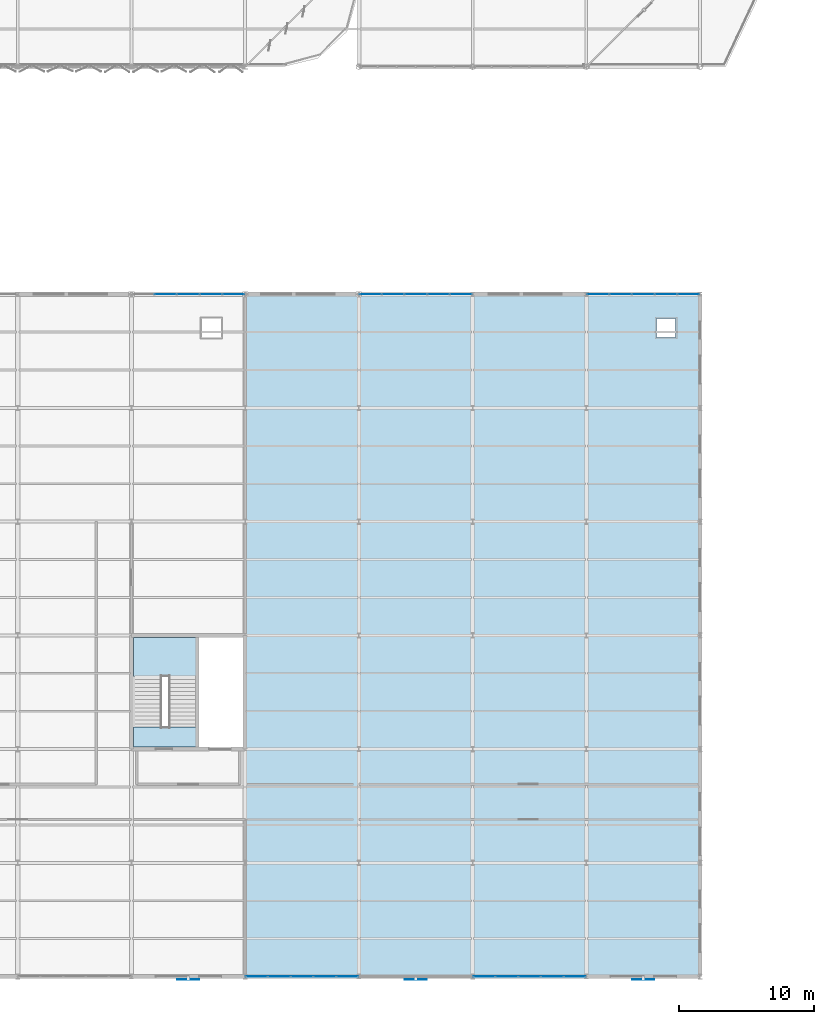
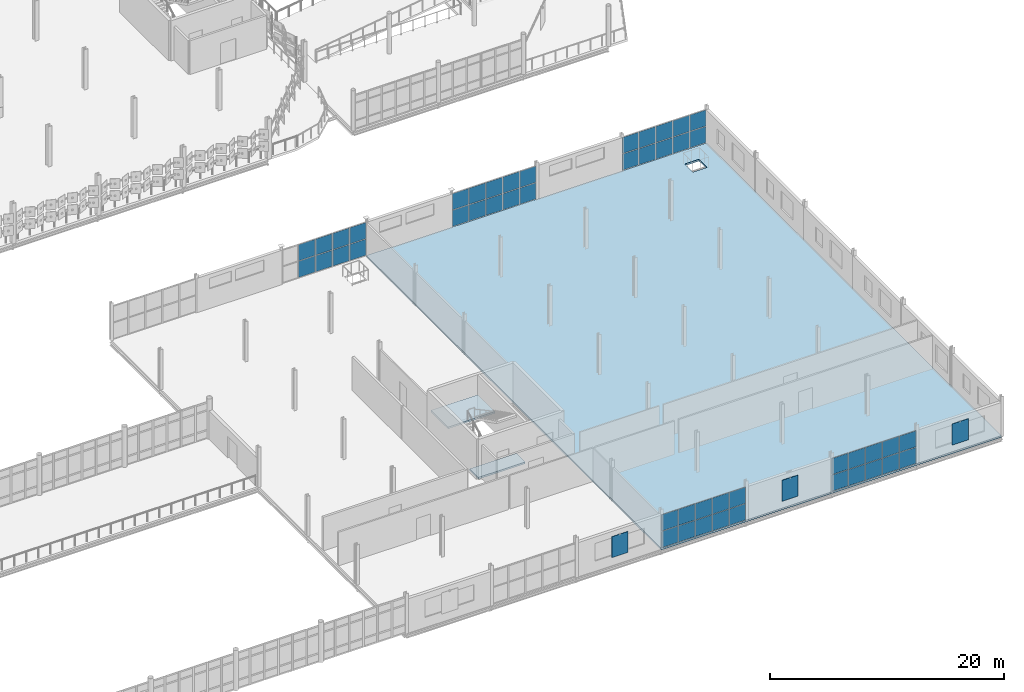
# One storey, part 125 of 163: 51 plates, 3 slabs, 6 elements without a shape of their own.
"""IFC4 building model written with IfcOpenShell, lengths in metres."""

import ifcopenshell
import ifcopenshell.guid

model = None  # the IFC model being written
_history = None  # IfcOwnerHistory: only IFC2X3 demands one
_inside = {}  # id of a spatial element -> (the spatial element, [elements in it])
_under = {}  # id of a project, library or spatial element -> (it, [spatial elements below it])
_declared = {}  # id of a project -> (the project, [libraries it declares])
_typed = {}  # id of a type object -> (the type object, [elements of that type])
_made_of = {}  # id of a material, layer set ... -> (it, [elements and type objects made of it])


def new_model(schema):
    """Start an empty IFC model of exactly this schema.

    Asked for "IFC4X3", IfcOpenShell would pick the latest addendum, in which some entities
    have other attributes; the version numbers below select the first issue.
    IFC2X3 requires an IfcOwnerHistory on every rooted entity: one is made here for all.
    """
    global model, _history
    if schema == "IFC4X3":
        model = ifcopenshell.file(schema_version=(4, 3, 0, 0))
    else:
        model = ifcopenshell.file(schema=schema)
    _inside.clear()
    _under.clear()
    _declared.clear()
    _typed.clear()
    _made_of.clear()
    _history = None
    if model.schema == "IFC2X3":
        org = make("IfcOrganization", Name="unknown")
        user = make(
            "IfcPersonAndOrganization",
            ThePerson=make("IfcPerson", FamilyName="unknown"),
            TheOrganization=org,
        )
        app = make(
            "IfcApplication",
            ApplicationDeveloper=org,
            Version="unknown",
            ApplicationFullName="unknown",
            ApplicationIdentifier="unknown",
        )
        _history = make(
            "IfcOwnerHistory",
            OwningUser=user,
            OwningApplication=app,
            ChangeAction="ADDED",
            CreationDate=0,
        )
    return model


def make(cls, **values):
    """One entity of the class cls with the attributes given. An attribute that is None is left unset."""
    return model.create_entity(
        cls, **{name: value for name, value in values.items() if value is not None}
    )


def rooted(cls, **values):
    """An entity with a GlobalId (a new one), such as an element, a storey or a relation."""
    return make(cls, GlobalId=ifcopenshell.guid.new(), OwnerHistory=_history, **values)


def si_unit(unit_type, name, prefix=None):
    """IfcSIUnit, for example si_unit("LENGTHUNIT", "METRE", prefix="MILLI")."""
    return make("IfcSIUnit", UnitType=unit_type, Prefix=prefix, Name=name)


def assignment(units):
    """IfcUnitAssignment: the units of a project."""
    return None if units is None else make("IfcUnitAssignment", Units=units)


def point(xyz):
    """IfcCartesianPoint."""
    return None if xyz is None else make("IfcCartesianPoint", Coordinates=xyz)


def direction(xyz):
    """IfcDirection."""
    return None if xyz is None else make("IfcDirection", DirectionRatios=xyz)


def frame(location, z_axis=None, x_axis=None):
    """IfcAxis2Placement3D, a coordinate frame: its origin and axes. An axis left out is left unset."""
    return make(
        "IfcAxis2Placement3D",
        Location=point(location),
        Axis=direction(z_axis),
        RefDirection=direction(x_axis),
    )


def frame_2d(location, x_axis=None):
    """IfcAxis2Placement2D, a coordinate frame in the plane: its origin and x axis."""
    return make(
        "IfcAxis2Placement2D", Location=point(location), RefDirection=direction(x_axis)
    )


def origin():
    """The frame at (0, 0, 0) with its axes left unset."""
    return frame((0.0, 0.0, 0.0))


def origin_2d():
    """The frame at (0, 0) in the plane with its x axis left unset."""
    return frame_2d((0.0, 0.0))


def place(relative_to, where):
    """IfcLocalPlacement: puts the frame where relative to a parent placement (None: the world)."""
    return make(
        "IfcLocalPlacement", PlacementRelTo=relative_to, RelativePlacement=where
    )


def context(
    kind, dimensions, precision=None, world=None, true_north=None, identifier=None
):
    """IfcGeometricRepresentationContext, for example the 3D "Model" context."""
    return make(
        "IfcGeometricRepresentationContext",
        ContextIdentifier=identifier,
        ContextType=kind,
        CoordinateSpaceDimension=dimensions,
        Precision=precision,
        WorldCoordinateSystem=world,
        TrueNorth=true_north,
    )


def subcontext(parent, identifier, kind, view, scale=None):
    """IfcGeometricRepresentationSubContext, for example "Body" below "Model"."""
    return make(
        "IfcGeometricRepresentationSubContext",
        ContextIdentifier=identifier,
        ContextType=kind,
        ParentContext=parent,
        TargetScale=scale,
        TargetView=view,
    )


def project(units=None, contexts=None):
    """IfcProject with its units and contexts."""
    return rooted(
        "IfcProject",
        Name="project",
        RepresentationContexts=contexts,
        UnitsInContext=assignment(units),
    )


def spatial(cls, under=None, at=None, **own):
    """A site, building, storey or space (cls), placed at a placement, below another one or the project."""
    s = rooted(cls, ObjectPlacement=at, **own)
    if under is not None:
        _under.setdefault(under.id(), (under, []))[1].append(s)
    return s


def polyline(points):
    """IfcPolyline through the points."""
    return make("IfcPolyline", Points=[point(p) for p in points])


def profile(cls, at=None, kind="AREA", **sizes):
    """A parametric profile (cls). Its sizes go by their IFC names, for example OverallWidth=200.0."""
    return make(cls, ProfileType=kind, Position=at, **sizes)


def rectangle(**sizes):
    """IfcRectangleProfileDef."""
    return profile("IfcRectangleProfileDef", **sizes)


def outline(outer, holes=None, kind="AREA"):
    """IfcArbitraryClosedProfileDef: a profile drawn as a closed curve; with holes, ...WithVoids."""
    if holes is None:
        return make("IfcArbitraryClosedProfileDef", ProfileType=kind, OuterCurve=outer)
    return make(
        "IfcArbitraryProfileDefWithVoids",
        ProfileType=kind,
        OuterCurve=outer,
        InnerCurves=holes,
    )


def extrude(swept, where, along, depth):
    """IfcExtrudedAreaSolid: the profile swept, set in the frame where, extruded along a direction by depth."""
    return make(
        "IfcExtrudedAreaSolid",
        SweptArea=swept,
        Position=where,
        ExtrudedDirection=direction(along),
        Depth=depth,
    )


def shape(context_of_items, identifier, shape_type, items):
    """IfcShapeRepresentation: the items that make up one representation, for example the "Body"."""
    return make(
        "IfcShapeRepresentation",
        ContextOfItems=context_of_items,
        RepresentationIdentifier=identifier,
        RepresentationType=shape_type,
        Items=items,
    )


def material(Name=None, Category=None):
    """IfcMaterial."""
    return make("IfcMaterial", Name=Name, Category=Category)


def layer(
    of_material, thickness, ventilated=None, Name=None, Category=None, Priority=None
):
    """IfcMaterialLayer: one layer of a wall or slab, of a material (None: an air gap)."""
    return make(
        "IfcMaterialLayer",
        Material=of_material,
        LayerThickness=thickness,
        IsVentilated=ventilated,
        Name=Name,
        Category=Category,
        Priority=Priority,
    )


def layer_set(layers, Name=None):
    """IfcMaterialLayerSet."""
    return make("IfcMaterialLayerSet", MaterialLayers=layers, LayerSetName=Name)


def made_of(thing, what):
    """Note that an element or type object is made of a material, layer set ...; save() writes the relation."""
    if what is not None:
        _made_of.setdefault(what.id(), (what, []))[1].append(thing)
    return thing


def type_object(cls, material=None, **own):
    """A type object (cls), such as IfcWallType, which elements share."""
    return made_of(rooted(cls, **own), material)


def element(
    cls,
    number,
    at=None,
    inside=None,
    cuts=None,
    type_object=None,
    material=None,
    context=None,
    identifier="Body",
    shape_type=None,
    held_by="IfcProductDefinitionShape",
    body=None,
    shapes=None,
    **own,
):
    """One element of the class cls, such as IfcWall. Its Tag is "e" and its number.

    at: its placement. inside: the storey or other place that contains it. cuts: it is an
    opening in that element (IfcRelVoidsElement). A single representation is given by context,
    identifier, shape_type and body (its items); several are given by shapes. held_by: the class
    of the entity that holds the representations. save() writes the other relations.
    """
    e = rooted(cls, Tag="e%d" % number, ObjectPlacement=at, **own)
    if body is not None:
        shapes = [shape(context, identifier, shape_type, body)]
    if shapes is not None:
        e.Representation = make(held_by, Representations=shapes)
    if inside is not None:
        _inside.setdefault(inside.id(), (inside, []))[1].append(e)
    if cuts is not None:
        rooted(
            "IfcRelVoidsElement", RelatingBuildingElement=cuts, RelatedOpeningElement=e
        )
    if type_object is not None:
        _typed.setdefault(type_object.id(), (type_object, []))[1].append(e)
    return made_of(e, material)


def aggregate(whole, parts):
    """IfcRelAggregates: a whole, such as a stair, and the parts it consists of."""
    return rooted("IfcRelAggregates", RelatingObject=whole, RelatedObjects=parts)


def save(model, path):
    """Write the relations noted so far, then the file.

    IfcRelAggregates (storeys below a building ...), IfcRelContainedInSpatialStructure (elements
    in a storey), IfcRelDefinesByType, IfcRelAssociatesMaterial and IfcRelDeclares: one each for
    every whole, place, type object, material and project.
    """
    for whole, parts in _under.values():
        aggregate(whole, parts)
    for where, things in _inside.values():
        rooted(
            "IfcRelContainedInSpatialStructure",
            RelatedElements=things,
            RelatingStructure=where,
        )
    for kind, things in _typed.values():
        rooted("IfcRelDefinesByType", RelatedObjects=things, RelatingType=kind)
    for what, things in _made_of.values():
        rooted("IfcRelAssociatesMaterial", RelatedObjects=things, RelatingMaterial=what)
    for by, libraries in _declared.values():
        rooted("IfcRelDeclares", RelatingContext=by, RelatedDefinitions=libraries)
    model.write(path)


model = new_model("IFC4")

# Units and contexts
model_context = context("Model", 3, precision=1e-05, world=origin(), true_north=direction((0.0, 1.0)))
body_context = subcontext(model_context, "Body", "Model", "MODEL_VIEW")
ifc_project = project(units=[si_unit("LENGTHUNIT", "METRE"), si_unit("AREAUNIT", "SQUARE_METRE"), si_unit("VOLUMEUNIT", "CUBIC_METRE"), si_unit("PLANEANGLEUNIT", "RADIAN"), si_unit("MASSUNIT", "GRAM", prefix="KILO")], contexts=[model_context])

# Site, building, storey
site_placement = place(None, origin())
site = spatial("IfcSite", under=ifc_project, at=site_placement, CompositionType="ELEMENT")
building_placement = place(site_placement, origin())
building = spatial("IfcBuilding", under=site, at=building_placement, Name="Qalvenar Corner Mobility Hub", CompositionType="ELEMENT")
storey_placement = place(building_placement, frame((0.0, 0.0, 4.800048828125)))
storey = spatial("IfcBuildingStorey", under=building, at=storey_placement, Name="L01", CompositionType="ELEMENT", Elevation=4.800048828125)

# Curtain wall, plates
ifc_material_1 = material(Name="Anodised Aluminium and Low-E Glazing", Category="aluminium")
ifc_layer_1 = layer(ifc_material_1, 0.14990234375)
ifc_layer_set_1 = layer_set([ifc_layer_1], Name="Anodised Aluminium and Low-E Glazing")
curtain_wall_type = type_object("IfcCurtainWallType", Name="CW-WKS-84X44", PredefinedType="NOTDEFINED", material=ifc_layer_set_1)
curtain_wall_1_placement = place(storey_placement, origin())
curtain_wall_1 = element("IfcCurtainWall", 1, at=curtain_wall_1_placement, inside=storey, type_object=curtain_wall_type, Name="Glazed Curtain Wall CW-V6-L01-S3", PredefinedType="NOTDEFINED")
ifc_material_2 = material(Name="Solar-Control Low-E Double Glazing", Category="glass")
ifc_layer_2 = layer(ifc_material_2, 0.028076171875)
ifc_layer_set_2 = layer_set([ifc_layer_2], Name="Solar-Control Low-E Double Glazing")
plate_type_1 = type_object("IfcPlateType", Name="PLT-CWP-GLZ1", PredefinedType="CURTAIN_PANEL", material=ifc_layer_set_2)
plate_1_placement = place(storey_placement, frame((135.2548828125, 0.0, 0.054931640625), z_axis=(0.0, 0.0, 1.0), x_axis=(1.0, 0.0, 0.0)))
plate_1 = element("IfcPlate", 2, at=plate_1_placement, type_object=plate_type_1, Name="CW-09 panel 1.1", PredefinedType="CURTAIN_PANEL", context=body_context, shape_type="SweptSolid", body=[
    extrude(rectangle(XDim=1.590087890625, YDim=0.028076171875, at=origin_2d()), origin(), (0.0, 0.0, 1.0), 1.6826171875),
])
plate_2_placement = place(storey_placement, frame((135.2548828125, 0.0, 1.79248046875), z_axis=(0.0, 0.0, 1.0), x_axis=(1.0, 0.0, 0.0)))
plate_2 = element("IfcPlate", 3, at=plate_2_placement, type_object=plate_type_1, Name="CW-09 panel 1.2", PredefinedType="CURTAIN_PANEL", context=body_context, shape_type="SweptSolid", body=[
    extrude(rectangle(XDim=1.590087890625, YDim=0.028076171875, at=origin_2d()), origin(), (0.0, 0.0, 1.0), 1.6826171875),
])
plate_3_placement = place(storey_placement, frame((136.919921875, 0.0, 0.054931640625), z_axis=(0.0, 0.0, 1.0), x_axis=(1.0, 0.0, 0.0)))
plate_3 = element("IfcPlate", 4, at=plate_3_placement, type_object=plate_type_1, Name="CW-09 panel 2.1", PredefinedType="CURTAIN_PANEL", context=body_context, shape_type="SweptSolid", body=[
    extrude(rectangle(XDim=1.6201171875, YDim=0.028076171875, at=origin_2d()), origin(), (0.0, 0.0, 1.0), 1.6826171875),
])
plate_4_placement = place(storey_placement, frame((136.919921875, 0.0, 1.79248046875), z_axis=(0.0, 0.0, 1.0), x_axis=(1.0, 0.0, 0.0)))
plate_4 = element("IfcPlate", 5, at=plate_4_placement, type_object=plate_type_1, Name="CW-09 panel 2.2", PredefinedType="CURTAIN_PANEL", context=body_context, shape_type="SweptSolid", body=[
    extrude(rectangle(XDim=1.6201171875, YDim=0.028076171875, at=origin_2d()), origin(), (0.0, 0.0, 1.0), 1.6826171875),
])
plate_5_placement = place(storey_placement, frame((138.60009765625, 0.0, 0.054931640625), z_axis=(0.0, 0.0, 1.0), x_axis=(1.0, 0.0, 0.0)))
plate_5 = element("IfcPlate", 6, at=plate_5_placement, type_object=plate_type_1, Name="CW-09 panel 3.1", PredefinedType="CURTAIN_PANEL", context=body_context, shape_type="SweptSolid", body=[
    extrude(rectangle(XDim=1.6201171875, YDim=0.028076171875, at=origin_2d()), origin(), (0.0, 0.0, 1.0), 1.6826171875),
])
plate_6_placement = place(storey_placement, frame((138.60009765625, 0.0, 1.79248046875), z_axis=(0.0, 0.0, 1.0), x_axis=(1.0, 0.0, 0.0)))
plate_6 = element("IfcPlate", 7, at=plate_6_placement, type_object=plate_type_1, Name="CW-09 panel 3.2", PredefinedType="CURTAIN_PANEL", context=body_context, shape_type="SweptSolid", body=[
    extrude(rectangle(XDim=1.6201171875, YDim=0.028076171875, at=origin_2d()), origin(), (0.0, 0.0, 1.0), 1.6826171875),
])
plate_7_placement = place(storey_placement, frame((140.280029296875, 0.0, 0.054931640625), z_axis=(0.0, 0.0, 1.0), x_axis=(1.0, 0.0, 0.0)))
plate_7 = element("IfcPlate", 8, at=plate_7_placement, type_object=plate_type_1, Name="CW-09 panel 4.1", PredefinedType="CURTAIN_PANEL", context=body_context, shape_type="SweptSolid", body=[
    extrude(rectangle(XDim=1.6201171875, YDim=0.028076171875, at=origin_2d()), origin(), (0.0, 0.0, 1.0), 1.6826171875),
])
plate_8_placement = place(storey_placement, frame((140.280029296875, 0.0, 1.79248046875), z_axis=(0.0, 0.0, 1.0), x_axis=(1.0, 0.0, 0.0)))
plate_8 = element("IfcPlate", 9, at=plate_8_placement, type_object=plate_type_1, Name="CW-09 panel 4.2", PredefinedType="CURTAIN_PANEL", context=body_context, shape_type="SweptSolid", body=[
    extrude(rectangle(XDim=1.6201171875, YDim=0.028076171875, at=origin_2d()), origin(), (0.0, 0.0, 1.0), 1.6826171875),
])
plate_9_placement = place(storey_placement, frame((141.945068359375, 0.0, 0.054931640625), z_axis=(0.0, 0.0, 1.0), x_axis=(1.0, 0.0, 0.0)))
plate_9 = element("IfcPlate", 10, at=plate_9_placement, type_object=plate_type_1, Name="CW-09 panel 5.1", PredefinedType="CURTAIN_PANEL", context=body_context, shape_type="SweptSolid", body=[
    extrude(rectangle(XDim=1.590087890625, YDim=0.028076171875, at=origin_2d()), origin(), (0.0, 0.0, 1.0), 1.6826171875),
])
plate_10_placement = place(storey_placement, frame((141.945068359375, 0.0, 1.79248046875), z_axis=(0.0, 0.0, 1.0), x_axis=(1.0, 0.0, 0.0)))
plate_10 = element("IfcPlate", 11, at=plate_10_placement, type_object=plate_type_1, Name="CW-09 panel 5.2", PredefinedType="CURTAIN_PANEL", context=body_context, shape_type="SweptSolid", body=[
    extrude(rectangle(XDim=1.590087890625, YDim=0.028076171875, at=origin_2d()), origin(), (0.0, 0.0, 1.0), 1.6826171875),
])
aggregate(curtain_wall_1, [plate_1, plate_2, plate_3, plate_4, plate_5, plate_6, plate_7, plate_8, plate_9, plate_10])

curtain_wall_2_placement = place(storey_placement, origin())
curtain_wall_2 = element("IfcCurtainWall", 12, at=curtain_wall_2_placement, inside=storey, type_object=curtain_wall_type, Name="Glazed Curtain Wall CW-V6-L01-S5", PredefinedType="NOTDEFINED")
plate_11_placement = place(storey_placement, frame((152.054931640625, 0.0, 0.054931640625), z_axis=(0.0, 0.0, 1.0), x_axis=(1.0, 0.0, 0.0)))
plate_11 = element("IfcPlate", 13, at=plate_11_placement, type_object=plate_type_1, Name="CW-09 panel 1.1", PredefinedType="CURTAIN_PANEL", context=body_context, shape_type="SweptSolid", body=[
    extrude(rectangle(XDim=1.590087890625, YDim=0.028076171875, at=origin_2d()), origin(), (0.0, 0.0, 1.0), 1.6826171875),
])
plate_12_placement = place(storey_placement, frame((152.054931640625, 0.0, 1.79248046875), z_axis=(0.0, 0.0, 1.0), x_axis=(1.0, 0.0, 0.0)))
plate_12 = element("IfcPlate", 14, at=plate_12_placement, type_object=plate_type_1, Name="CW-09 panel 1.2", PredefinedType="CURTAIN_PANEL", context=body_context, shape_type="SweptSolid", body=[
    extrude(rectangle(XDim=1.590087890625, YDim=0.028076171875, at=origin_2d()), origin(), (0.0, 0.0, 1.0), 1.6826171875),
])
plate_13_placement = place(storey_placement, frame((153.719970703125, 0.0, 0.054931640625), z_axis=(0.0, 0.0, 1.0), x_axis=(1.0, 0.0, 0.0)))
plate_13 = element("IfcPlate", 15, at=plate_13_placement, type_object=plate_type_1, Name="CW-09 panel 2.1", PredefinedType="CURTAIN_PANEL", context=body_context, shape_type="SweptSolid", body=[
    extrude(rectangle(XDim=1.6201171875, YDim=0.028076171875, at=origin_2d()), origin(), (0.0, 0.0, 1.0), 1.6826171875),
])
plate_14_placement = place(storey_placement, frame((153.719970703125, 0.0, 1.79248046875), z_axis=(0.0, 0.0, 1.0), x_axis=(1.0, 0.0, 0.0)))
plate_14 = element("IfcPlate", 16, at=plate_14_placement, type_object=plate_type_1, Name="CW-09 panel 2.2", PredefinedType="CURTAIN_PANEL", context=body_context, shape_type="SweptSolid", body=[
    extrude(rectangle(XDim=1.6201171875, YDim=0.028076171875, at=origin_2d()), origin(), (0.0, 0.0, 1.0), 1.6826171875),
])
plate_15_placement = place(storey_placement, frame((155.39990234375, 0.0, 0.054931640625), z_axis=(0.0, 0.0, 1.0), x_axis=(1.0, 0.0, 0.0)))
plate_15 = element("IfcPlate", 17, at=plate_15_placement, type_object=plate_type_1, Name="CW-09 panel 3.1", PredefinedType="CURTAIN_PANEL", context=body_context, shape_type="SweptSolid", body=[
    extrude(rectangle(XDim=1.6201171875, YDim=0.028076171875, at=origin_2d()), origin(), (0.0, 0.0, 1.0), 1.6826171875),
])
plate_16_placement = place(storey_placement, frame((155.39990234375, 0.0, 1.79248046875), z_axis=(0.0, 0.0, 1.0), x_axis=(1.0, 0.0, 0.0)))
plate_16 = element("IfcPlate", 18, at=plate_16_placement, type_object=plate_type_1, Name="CW-09 panel 3.2", PredefinedType="CURTAIN_PANEL", context=body_context, shape_type="SweptSolid", body=[
    extrude(rectangle(XDim=1.6201171875, YDim=0.028076171875, at=origin_2d()), origin(), (0.0, 0.0, 1.0), 1.6826171875),
])
plate_17_placement = place(storey_placement, frame((157.080078125, 0.0, 0.054931640625), z_axis=(0.0, 0.0, 1.0), x_axis=(1.0, 0.0, 0.0)))
plate_17 = element("IfcPlate", 19, at=plate_17_placement, type_object=plate_type_1, Name="CW-09 panel 4.1", PredefinedType="CURTAIN_PANEL", context=body_context, shape_type="SweptSolid", body=[
    extrude(rectangle(XDim=1.6201171875, YDim=0.028076171875, at=origin_2d()), origin(), (0.0, 0.0, 1.0), 1.6826171875),
])
plate_18_placement = place(storey_placement, frame((157.080078125, 0.0, 1.79248046875), z_axis=(0.0, 0.0, 1.0), x_axis=(1.0, 0.0, 0.0)))
plate_18 = element("IfcPlate", 20, at=plate_18_placement, type_object=plate_type_1, Name="CW-09 panel 4.2", PredefinedType="CURTAIN_PANEL", context=body_context, shape_type="SweptSolid", body=[
    extrude(rectangle(XDim=1.6201171875, YDim=0.028076171875, at=origin_2d()), origin(), (0.0, 0.0, 1.0), 1.6826171875),
])
plate_19_placement = place(storey_placement, frame((158.7451171875, 0.0, 0.054931640625), z_axis=(0.0, 0.0, 1.0), x_axis=(1.0, 0.0, 0.0)))
plate_19 = element("IfcPlate", 21, at=plate_19_placement, type_object=plate_type_1, Name="CW-09 panel 5.1", PredefinedType="CURTAIN_PANEL", context=body_context, shape_type="SweptSolid", body=[
    extrude(rectangle(XDim=1.590087890625, YDim=0.028076171875, at=origin_2d()), origin(), (0.0, 0.0, 1.0), 1.6826171875),
])
plate_20_placement = place(storey_placement, frame((158.7451171875, 0.0, 1.79248046875), z_axis=(0.0, 0.0, 1.0), x_axis=(1.0, 0.0, 0.0)))
plate_20 = element("IfcPlate", 22, at=plate_20_placement, type_object=plate_type_1, Name="CW-09 panel 5.2", PredefinedType="CURTAIN_PANEL", context=body_context, shape_type="SweptSolid", body=[
    extrude(rectangle(XDim=1.590087890625, YDim=0.028076171875, at=origin_2d()), origin(), (0.0, 0.0, 1.0), 1.6826171875),
])
aggregate(curtain_wall_2, [plate_11, plate_12, plate_13, plate_14, plate_15, plate_16, plate_17, plate_18, plate_19, plate_20])

curtain_wall_3_placement = place(storey_placement, origin())
curtain_wall_3 = element("IfcCurtainWall", 23, at=curtain_wall_3_placement, inside=storey, type_object=curtain_wall_type, Name="Glazed Curtain Wall CW-V6-L01-N2", PredefinedType="NOTDEFINED")
plate_21_placement = place(storey_placement, frame((133.544921875, 50.39990234375, 0.054931640625), z_axis=(0.0, 0.0, 1.0), x_axis=(-1.0, 0.0, 0.0)))
plate_21 = element("IfcPlate", 24, at=plate_21_placement, type_object=plate_type_1, Name="CW-09 panel 1.1", PredefinedType="CURTAIN_PANEL", context=body_context, shape_type="SweptSolid", body=[
    extrude(rectangle(XDim=1.590087890625, YDim=0.028076171875, at=origin_2d()), origin(), (0.0, 0.0, 1.0), 1.6826171875),
])
plate_22_placement = place(storey_placement, frame((133.544921875, 50.39990234375, 1.79248046875), z_axis=(0.0, 0.0, 1.0), x_axis=(-1.0, 0.0, 0.0)))
plate_22 = element("IfcPlate", 25, at=plate_22_placement, type_object=plate_type_1, Name="CW-09 panel 1.2", PredefinedType="CURTAIN_PANEL", context=body_context, shape_type="SweptSolid", body=[
    extrude(rectangle(XDim=1.590087890625, YDim=0.028076171875, at=origin_2d()), origin(), (0.0, 0.0, 1.0), 1.6826171875),
])
plate_23_placement = place(storey_placement, frame((131.8798828125, 50.39990234375, 0.054931640625), z_axis=(0.0, 0.0, 1.0), x_axis=(-1.0, 0.0, 0.0)))
plate_23 = element("IfcPlate", 26, at=plate_23_placement, type_object=plate_type_1, Name="CW-09 panel 2.1", PredefinedType="CURTAIN_PANEL", context=body_context, shape_type="SweptSolid", body=[
    extrude(rectangle(XDim=1.6201171875, YDim=0.028076171875, at=origin_2d()), origin(), (0.0, 0.0, 1.0), 1.6826171875),
])
plate_24_placement = place(storey_placement, frame((131.8798828125, 50.39990234375, 1.79248046875), z_axis=(0.0, 0.0, 1.0), x_axis=(-1.0, 0.0, 0.0)))
plate_24 = element("IfcPlate", 27, at=plate_24_placement, type_object=plate_type_1, Name="CW-09 panel 2.2", PredefinedType="CURTAIN_PANEL", context=body_context, shape_type="SweptSolid", body=[
    extrude(rectangle(XDim=1.6201171875, YDim=0.028076171875, at=origin_2d()), origin(), (0.0, 0.0, 1.0), 1.6826171875),
])
plate_25_placement = place(storey_placement, frame((130.199951171875, 50.39990234375, 0.054931640625), z_axis=(0.0, 0.0, 1.0), x_axis=(-1.0, 0.0, 0.0)))
plate_25 = element("IfcPlate", 28, at=plate_25_placement, type_object=plate_type_1, Name="CW-09 panel 3.1", PredefinedType="CURTAIN_PANEL", context=body_context, shape_type="SweptSolid", body=[
    extrude(rectangle(XDim=1.6201171875, YDim=0.028076171875, at=origin_2d()), origin(), (0.0, 0.0, 1.0), 1.6826171875),
])
plate_26_placement = place(storey_placement, frame((130.199951171875, 50.39990234375, 1.79248046875), z_axis=(0.0, 0.0, 1.0), x_axis=(-1.0, 0.0, 0.0)))
plate_26 = element("IfcPlate", 29, at=plate_26_placement, type_object=plate_type_1, Name="CW-09 panel 3.2", PredefinedType="CURTAIN_PANEL", context=body_context, shape_type="SweptSolid", body=[
    extrude(rectangle(XDim=1.6201171875, YDim=0.028076171875, at=origin_2d()), origin(), (0.0, 0.0, 1.0), 1.6826171875),
])
plate_27_placement = place(storey_placement, frame((128.52001953125, 50.39990234375, 0.054931640625), z_axis=(0.0, 0.0, 1.0), x_axis=(-1.0, 0.0, 0.0)))
plate_27 = element("IfcPlate", 30, at=plate_27_placement, type_object=plate_type_1, Name="CW-09 panel 4.1", PredefinedType="CURTAIN_PANEL", context=body_context, shape_type="SweptSolid", body=[
    extrude(rectangle(XDim=1.6201171875, YDim=0.028076171875, at=origin_2d()), origin(), (0.0, 0.0, 1.0), 1.6826171875),
])
plate_28_placement = place(storey_placement, frame((128.52001953125, 50.39990234375, 1.79248046875), z_axis=(0.0, 0.0, 1.0), x_axis=(-1.0, 0.0, 0.0)))
plate_28 = element("IfcPlate", 31, at=plate_28_placement, type_object=plate_type_1, Name="CW-09 panel 4.2", PredefinedType="CURTAIN_PANEL", context=body_context, shape_type="SweptSolid", body=[
    extrude(rectangle(XDim=1.6201171875, YDim=0.028076171875, at=origin_2d()), origin(), (0.0, 0.0, 1.0), 1.6826171875),
])
aggregate(curtain_wall_3, [plate_21, plate_22, plate_23, plate_24, plate_25, plate_26, plate_27, plate_28])

curtain_wall_4_placement = place(storey_placement, origin())
curtain_wall_4 = element("IfcCurtainWall", 32, at=curtain_wall_4_placement, inside=storey, type_object=curtain_wall_type, Name="Glazed Curtain Wall CW-V6-L01-N4", PredefinedType="NOTDEFINED")
plate_29_placement = place(storey_placement, frame((150.344970703125, 50.39990234375, 0.054931640625), z_axis=(0.0, 0.0, 1.0), x_axis=(-1.0, 0.0, 0.0)))
plate_29 = element("IfcPlate", 33, at=plate_29_placement, type_object=plate_type_1, Name="CW-09 panel 1.1", PredefinedType="CURTAIN_PANEL", context=body_context, shape_type="SweptSolid", body=[
    extrude(rectangle(XDim=1.590087890625, YDim=0.028076171875, at=origin_2d()), origin(), (0.0, 0.0, 1.0), 1.6826171875),
])
plate_30_placement = place(storey_placement, frame((150.344970703125, 50.39990234375, 1.79248046875), z_axis=(0.0, 0.0, 1.0), x_axis=(-1.0, 0.0, 0.0)))
plate_30 = element("IfcPlate", 34, at=plate_30_placement, type_object=plate_type_1, Name="CW-09 panel 1.2", PredefinedType="CURTAIN_PANEL", context=body_context, shape_type="SweptSolid", body=[
    extrude(rectangle(XDim=1.590087890625, YDim=0.028076171875, at=origin_2d()), origin(), (0.0, 0.0, 1.0), 1.6826171875),
])
plate_31_placement = place(storey_placement, frame((148.679931640625, 50.39990234375, 0.054931640625), z_axis=(0.0, 0.0, 1.0), x_axis=(-1.0, 0.0, 0.0)))
plate_31 = element("IfcPlate", 35, at=plate_31_placement, type_object=plate_type_1, Name="CW-09 panel 2.1", PredefinedType="CURTAIN_PANEL", context=body_context, shape_type="SweptSolid", body=[
    extrude(rectangle(XDim=1.6201171875, YDim=0.028076171875, at=origin_2d()), origin(), (0.0, 0.0, 1.0), 1.6826171875),
])
plate_32_placement = place(storey_placement, frame((148.679931640625, 50.39990234375, 1.79248046875), z_axis=(0.0, 0.0, 1.0), x_axis=(-1.0, 0.0, 0.0)))
plate_32 = element("IfcPlate", 36, at=plate_32_placement, type_object=plate_type_1, Name="CW-09 panel 2.2", PredefinedType="CURTAIN_PANEL", context=body_context, shape_type="SweptSolid", body=[
    extrude(rectangle(XDim=1.6201171875, YDim=0.028076171875, at=origin_2d()), origin(), (0.0, 0.0, 1.0), 1.6826171875),
])
plate_33_placement = place(storey_placement, frame((147.0, 50.39990234375, 0.054931640625), z_axis=(0.0, 0.0, 1.0), x_axis=(-1.0, 0.0, 0.0)))
plate_33 = element("IfcPlate", 37, at=plate_33_placement, type_object=plate_type_1, Name="CW-09 panel 3.1", PredefinedType="CURTAIN_PANEL", context=body_context, shape_type="SweptSolid", body=[
    extrude(rectangle(XDim=1.6201171875, YDim=0.028076171875, at=origin_2d()), origin(), (0.0, 0.0, 1.0), 1.6826171875),
])
plate_34_placement = place(storey_placement, frame((147.0, 50.39990234375, 1.79248046875), z_axis=(0.0, 0.0, 1.0), x_axis=(-1.0, 0.0, 0.0)))
plate_34 = element("IfcPlate", 38, at=plate_34_placement, type_object=plate_type_1, Name="CW-09 panel 3.2", PredefinedType="CURTAIN_PANEL", context=body_context, shape_type="SweptSolid", body=[
    extrude(rectangle(XDim=1.6201171875, YDim=0.028076171875, at=origin_2d()), origin(), (0.0, 0.0, 1.0), 1.6826171875),
])
plate_35_placement = place(storey_placement, frame((145.320068359375, 50.39990234375, 0.054931640625), z_axis=(0.0, 0.0, 1.0), x_axis=(-1.0, 0.0, 0.0)))
plate_35 = element("IfcPlate", 39, at=plate_35_placement, type_object=plate_type_1, Name="CW-09 panel 4.1", PredefinedType="CURTAIN_PANEL", context=body_context, shape_type="SweptSolid", body=[
    extrude(rectangle(XDim=1.6201171875, YDim=0.028076171875, at=origin_2d()), origin(), (0.0, 0.0, 1.0), 1.6826171875),
])
plate_36_placement = place(storey_placement, frame((145.320068359375, 50.39990234375, 1.79248046875), z_axis=(0.0, 0.0, 1.0), x_axis=(-1.0, 0.0, 0.0)))
plate_36 = element("IfcPlate", 40, at=plate_36_placement, type_object=plate_type_1, Name="CW-09 panel 4.2", PredefinedType="CURTAIN_PANEL", context=body_context, shape_type="SweptSolid", body=[
    extrude(rectangle(XDim=1.6201171875, YDim=0.028076171875, at=origin_2d()), origin(), (0.0, 0.0, 1.0), 1.6826171875),
])
plate_37_placement = place(storey_placement, frame((143.655029296875, 50.39990234375, 0.054931640625), z_axis=(0.0, 0.0, 1.0), x_axis=(-1.0, 0.0, 0.0)))
plate_37 = element("IfcPlate", 41, at=plate_37_placement, type_object=plate_type_1, Name="CW-09 panel 5.1", PredefinedType="CURTAIN_PANEL", context=body_context, shape_type="SweptSolid", body=[
    extrude(rectangle(XDim=1.590087890625, YDim=0.028076171875, at=origin_2d()), origin(), (0.0, 0.0, 1.0), 1.6826171875),
])
plate_38_placement = place(storey_placement, frame((143.655029296875, 50.39990234375, 1.79248046875), z_axis=(0.0, 0.0, 1.0), x_axis=(-1.0, 0.0, 0.0)))
plate_38 = element("IfcPlate", 42, at=plate_38_placement, type_object=plate_type_1, Name="CW-09 panel 5.2", PredefinedType="CURTAIN_PANEL", context=body_context, shape_type="SweptSolid", body=[
    extrude(rectangle(XDim=1.590087890625, YDim=0.028076171875, at=origin_2d()), origin(), (0.0, 0.0, 1.0), 1.6826171875),
])
aggregate(curtain_wall_4, [plate_29, plate_30, plate_31, plate_32, plate_33, plate_34, plate_35, plate_36, plate_37, plate_38])

curtain_wall_5_placement = place(storey_placement, origin())
curtain_wall_5 = element("IfcCurtainWall", 43, at=curtain_wall_5_placement, inside=storey, type_object=curtain_wall_type, Name="Glazed Curtain Wall CW-V6-L01-N6", PredefinedType="NOTDEFINED")
plate_39_placement = place(storey_placement, frame((167.14501953125, 50.39990234375, 0.054931640625), z_axis=(0.0, 0.0, 1.0), x_axis=(-1.0, 0.0, 0.0)))
plate_39 = element("IfcPlate", 44, at=plate_39_placement, type_object=plate_type_1, Name="CW-09 panel 1.1", PredefinedType="CURTAIN_PANEL", context=body_context, shape_type="SweptSolid", body=[
    extrude(rectangle(XDim=1.590087890625, YDim=0.028076171875, at=origin_2d()), origin(), (0.0, 0.0, 1.0), 1.6826171875),
])
plate_40_placement = place(storey_placement, frame((167.14501953125, 50.39990234375, 1.79248046875), z_axis=(0.0, 0.0, 1.0), x_axis=(-1.0, 0.0, 0.0)))
plate_40 = element("IfcPlate", 45, at=plate_40_placement, type_object=plate_type_1, Name="CW-09 panel 1.2", PredefinedType="CURTAIN_PANEL", context=body_context, shape_type="SweptSolid", body=[
    extrude(rectangle(XDim=1.590087890625, YDim=0.028076171875, at=origin_2d()), origin(), (0.0, 0.0, 1.0), 1.6826171875),
])
plate_41_placement = place(storey_placement, frame((165.47998046875, 50.39990234375, 0.054931640625), z_axis=(0.0, 0.0, 1.0), x_axis=(-1.0, 0.0, 0.0)))
plate_41 = element("IfcPlate", 46, at=plate_41_placement, type_object=plate_type_1, Name="CW-09 panel 2.1", PredefinedType="CURTAIN_PANEL", context=body_context, shape_type="SweptSolid", body=[
    extrude(rectangle(XDim=1.6201171875, YDim=0.028076171875, at=origin_2d()), origin(), (0.0, 0.0, 1.0), 1.6826171875),
])
plate_42_placement = place(storey_placement, frame((165.47998046875, 50.39990234375, 1.79248046875), z_axis=(0.0, 0.0, 1.0), x_axis=(-1.0, 0.0, 0.0)))
plate_42 = element("IfcPlate", 47, at=plate_42_placement, type_object=plate_type_1, Name="CW-09 panel 2.2", PredefinedType="CURTAIN_PANEL", context=body_context, shape_type="SweptSolid", body=[
    extrude(rectangle(XDim=1.6201171875, YDim=0.028076171875, at=origin_2d()), origin(), (0.0, 0.0, 1.0), 1.6826171875),
])
plate_43_placement = place(storey_placement, frame((163.800048828125, 50.39990234375, 0.054931640625), z_axis=(0.0, 0.0, 1.0), x_axis=(-1.0, 0.0, 0.0)))
plate_43 = element("IfcPlate", 48, at=plate_43_placement, type_object=plate_type_1, Name="CW-09 panel 3.1", PredefinedType="CURTAIN_PANEL", context=body_context, shape_type="SweptSolid", body=[
    extrude(rectangle(XDim=1.6201171875, YDim=0.028076171875, at=origin_2d()), origin(), (0.0, 0.0, 1.0), 1.6826171875),
])
plate_44_placement = place(storey_placement, frame((163.800048828125, 50.39990234375, 1.79248046875), z_axis=(0.0, 0.0, 1.0), x_axis=(-1.0, 0.0, 0.0)))
plate_44 = element("IfcPlate", 49, at=plate_44_placement, type_object=plate_type_1, Name="CW-09 panel 3.2", PredefinedType="CURTAIN_PANEL", context=body_context, shape_type="SweptSolid", body=[
    extrude(rectangle(XDim=1.6201171875, YDim=0.028076171875, at=origin_2d()), origin(), (0.0, 0.0, 1.0), 1.6826171875),
])
plate_45_placement = place(storey_placement, frame((162.1201171875, 50.39990234375, 0.054931640625), z_axis=(0.0, 0.0, 1.0), x_axis=(-1.0, 0.0, 0.0)))
plate_45 = element("IfcPlate", 50, at=plate_45_placement, type_object=plate_type_1, Name="CW-09 panel 4.1", PredefinedType="CURTAIN_PANEL", context=body_context, shape_type="SweptSolid", body=[
    extrude(rectangle(XDim=1.6201171875, YDim=0.028076171875, at=origin_2d()), origin(), (0.0, 0.0, 1.0), 1.6826171875),
])
plate_46_placement = place(storey_placement, frame((162.1201171875, 50.39990234375, 1.79248046875), z_axis=(0.0, 0.0, 1.0), x_axis=(-1.0, 0.0, 0.0)))
plate_46 = element("IfcPlate", 51, at=plate_46_placement, type_object=plate_type_1, Name="CW-09 panel 4.2", PredefinedType="CURTAIN_PANEL", context=body_context, shape_type="SweptSolid", body=[
    extrude(rectangle(XDim=1.6201171875, YDim=0.028076171875, at=origin_2d()), origin(), (0.0, 0.0, 1.0), 1.6826171875),
])
plate_47_placement = place(storey_placement, frame((160.455078125, 50.39990234375, 0.054931640625), z_axis=(0.0, 0.0, 1.0), x_axis=(-1.0, 0.0, 0.0)))
plate_47 = element("IfcPlate", 52, at=plate_47_placement, type_object=plate_type_1, Name="CW-09 panel 5.1", PredefinedType="CURTAIN_PANEL", context=body_context, shape_type="SweptSolid", body=[
    extrude(rectangle(XDim=1.590087890625, YDim=0.028076171875, at=origin_2d()), origin(), (0.0, 0.0, 1.0), 1.6826171875),
])
plate_48_placement = place(storey_placement, frame((160.455078125, 50.39990234375, 1.79248046875), z_axis=(0.0, 0.0, 1.0), x_axis=(-1.0, 0.0, 0.0)))
plate_48 = element("IfcPlate", 53, at=plate_48_placement, type_object=plate_type_1, Name="CW-09 panel 5.2", PredefinedType="CURTAIN_PANEL", context=body_context, shape_type="SweptSolid", body=[
    extrude(rectangle(XDim=1.590087890625, YDim=0.028076171875, at=origin_2d()), origin(), (0.0, 0.0, 1.0), 1.6826171875),
])
aggregate(curtain_wall_5, [plate_39, plate_40, plate_41, plate_42, plate_43, plate_44, plate_45, plate_46, plate_47, plate_48])

# Plates
ifc_material_3 = material(Name="Perforated Ochre Sun-Louvre Aluminium", Category="aluminium")
ifc_layer_3 = layer(ifc_material_3, 0.031982421875)
ifc_layer_set_3 = layer_set([ifc_layer_3], Name="Perforated Ochre Sun-Louvre Aluminium")
plate_type_2 = type_object("IfcPlateType", Name="PLT-SCR-WKS", PredefinedType="SHEET", material=ifc_layer_set_3)
for number, where, z_axis, x_axis, name in (
    (54, (130.199951171875, -0.219970703125, 0.89990234375), (0.0, 0.0, 1.0), (1.0, 0.0, 0.0), "Workshop Sun Louvre SC3-L01-2"),
    (55, (147.0, -0.219970703125, 0.89990234375), (0.0, 0.0, 1.0), (1.0, 0.0, 0.0), "Workshop Sun Louvre SC3-L01-4"),
    (56, (163.800048828125, -0.219970703125, 0.89990234375), (0.0, 0.0, 1.0), (1.0, 0.0, 0.0), "Workshop Sun Louvre SC3-L01-6"),
):
    element("IfcPlate", number, at=place(storey_placement, frame(where, z_axis=z_axis, x_axis=x_axis)), inside=storey, type_object=plate_type_2, Name=name, PredefinedType="SHEET", context=body_context, shape_type="SweptSolid", body=[
        extrude(rectangle(XDim=1.60009765625, YDim=0.031982421875, at=origin_2d()), origin(), (0.0, 0.0, 1.0), 2.199951171875),
    ])

# Slab
ifc_material_4 = material(Name="Concrete C35/45", Category="concrete")
ifc_layer_4 = layer(ifc_material_4, 0.179931640625)
ifc_layer_set_4 = layer_set([ifc_layer_4], Name="Concrete C35/45")
slab_type_1 = type_object("IfcSlabType", Name="SLB-COMP180", PredefinedType="FLOOR", material=ifc_layer_set_4)
slab_1_placement = place(storey_placement, frame((0.0, 0.0, -0.179931640625)))
element("IfcSlab", 57, at=slab_1_placement, inside=storey, type_object=slab_type_1, Name="Composite Slab V6-B-L01", PredefinedType="FLOOR", context=body_context, shape_type="SweptSolid", body=[
    extrude(outline(polyline([(134.39990234375, 0.0), (168.0, 0.0), (168.0, 50.39990234375), (134.39990234375, 50.39990234375), (134.39990234375, 0.0)]), holes=[polyline([(164.800048828125, 47.199951171875), (166.199951171875, 47.199951171875), (166.199951171875, 48.60009765625), (164.800048828125, 48.60009765625), (164.800048828125, 47.199951171875)])]), origin(), (0.0, 0.0, 1.0), 0.179931640625),
])

# Stair, slab
stair_type = type_object("IfcStairType", Name="STR-200-H42", PredefinedType="HALF_TURN_STAIR", material=ifc_material_4)
stair_placement = place(storey_placement, origin())
stair = element("IfcStair", 58, at=stair_placement, inside=storey, type_object=stair_type, Name="Exit Stair ST6 L01-L02", PredefinedType="HALF_TURN_STAIR")
ifc_layer_5 = layer(ifc_material_4, 0.179931640625)
ifc_layer_set_5 = layer_set([ifc_layer_5], Name="Concrete C35/45")
slab_type_2 = type_object("IfcSlabType", Name="SLB-LND180", PredefinedType="LANDING", material=ifc_layer_set_5)
slab_2_placement = place(storey_placement, frame((0.0, 0.0, 1.919921875)))
slab_2 = element("IfcSlab", 59, at=slab_2_placement, type_object=slab_type_2, Name="ST6 landing 1", PredefinedType="LANDING", context=body_context, shape_type="SweptSolid", body=[
    extrude(outline(polyline([(126.139892578125, 22.14990234375), (130.780029296875, 22.14990234375), (130.780029296875, 25.06005859375), (126.139892578125, 25.06005859375), (126.139892578125, 22.14990234375)])), origin(), (0.0, 0.0, 1.0), 0.179931640625),
])
aggregate(stair, [slab_2])

# Slab
ifc_layer_6 = layer(ifc_material_4, 0.175048828125)
ifc_layer_set_6 = layer_set([ifc_layer_6], Name="Concrete C35/45")
slab_type_3 = type_object("IfcSlabType", Name="SLB-LND200", PredefinedType="LANDING", material=ifc_layer_set_6)
slab_3_placement = place(storey_placement, frame((0.0, 0.0, -0.175048828125)))
element("IfcSlab", 60, at=slab_3_placement, inside=storey, type_object=slab_type_3, Name="Core Stair Arrival Landing C6-L01", PredefinedType="LANDING", context=body_context, shape_type="SweptSolid", body=[
    extrude(outline(polyline([(126.14990234375, 16.949951171875), (130.77001953125, 16.949951171875), (130.77001953125, 18.449951171875), (126.14990234375, 18.449951171875), (126.14990234375, 16.949951171875)])), origin(), (0.0, 0.0, 1.0), 0.175048828125),
])

save(model, "model.ifc")
